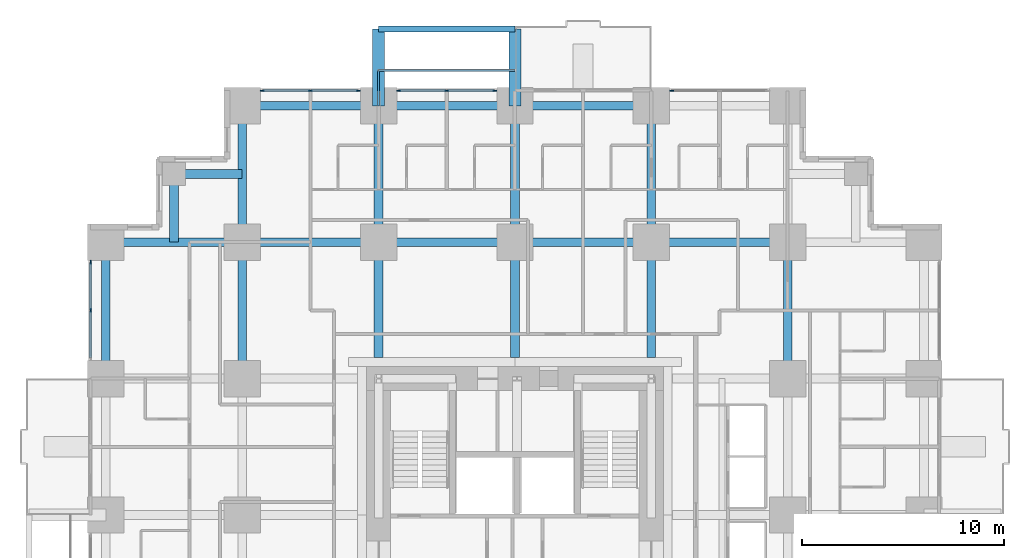
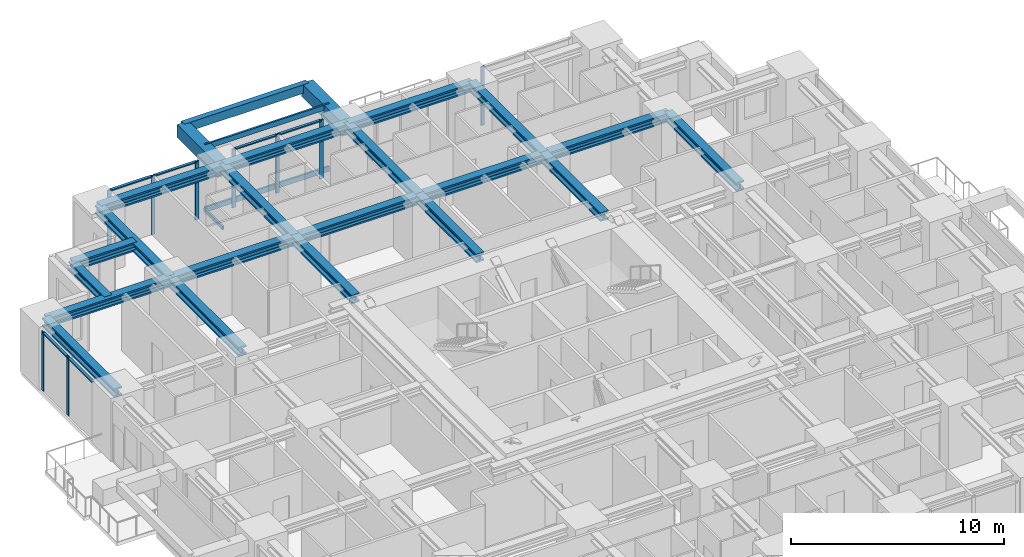
# One storey, part 5 of 14: 23 beams, 18 members, 4 elements without a shape of their own.
"""IFC4 building model written with IfcOpenShell, lengths in metres."""

from ifc_helpers import new_model, si_unit, direction, frame, origin, origin_2d, place, context, subcontext, project, spatial, rectangle, hollow_rectangle, i_section, extrude, material, material_profile, profile_set, type_object, element, aggregate, save


model = new_model("IFC4")

# Units and contexts
model_context = context("Model", 3, precision=1e-05, world=origin(), true_north=direction((0.0, 1.0)))
body_context = subcontext(model_context, "Body", "Model", "MODEL_VIEW")
ifc_project = project(units=[si_unit("LENGTHUNIT", "METRE"), si_unit("AREAUNIT", "SQUARE_METRE"), si_unit("VOLUMEUNIT", "CUBIC_METRE"), si_unit("PLANEANGLEUNIT", "RADIAN"), si_unit("MASSUNIT", "GRAM", prefix="KILO")], contexts=[model_context])

# Site, building, storey
site_placement = place(None, origin())
site = spatial("IfcSite", under=ifc_project, at=site_placement, CompositionType="ELEMENT")
building_placement = place(site_placement, origin())
building = spatial("IfcBuilding", under=site, at=building_placement, Name="Nyansa Garden Tower", CompositionType="ELEMENT")
storey_placement = place(building_placement, frame((0.0, 0.0, 57.60009765625)))
storey = spatial("IfcBuildingStorey", under=building, at=storey_placement, Name="L15", CompositionType="ELEMENT", Elevation=57.60009765625)

# Beams
ifc_material_1 = material(Name="Concrete C70/85", Category="concrete")
ifc_material_profile_1 = material_profile(ifc_material_1, rectangle(XDim=0.60009765625, YDim=0.75, at=origin_2d()), Name="RC 600x750")
ifc_profile_set_1 = profile_set([ifc_material_profile_1], Name="Concrete C70/85")
beam_type_1 = type_object("IfcBeamType", Name="Balcony cantilever beam CB1 RC 600x750", PredefinedType="BEAM", material=ifc_profile_set_1)
for number, where, z_axis, x_axis, name in (
    (1, (13.5, 40.5, 2.98486328125), (0.0, 1.0, 0.0), (-1.0, 0.0, 0.0), "Balcony cantilever beam L16"),
    (2, (20.25, 40.5, 2.98486328125), (0.0, 1.0, 0.0), (-1.0, 0.0, 0.0), "Balcony cantilever beam L16"),
):
    element("IfcBeam", number, at=place(storey_placement, frame(where, z_axis=z_axis, x_axis=x_axis)), inside=storey, type_object=beam_type_1, Name=name, PredefinedType="BEAM", context=body_context, shape_type="SweptSolid", body=[
        extrude(rectangle(XDim=0.60009765625, YDim=0.75, at=origin_2d()), origin(), (0.0, 0.0, 1.0), 3.800048828125),
    ])
ifc_material_2 = material(Name="Concrete C70/85", Category="concrete")
ifc_material_profile_2 = material_profile(ifc_material_2, rectangle(XDim=0.300048828125, YDim=0.5, at=origin_2d()), Name="RC 300x500")
ifc_profile_set_2 = profile_set([ifc_material_profile_2], Name="Concrete C70/85")
beam_type_2 = type_object("IfcBeamType", Name="Balcony edge beam BE1 RC 300x500", PredefinedType="BEAM", material=ifc_profile_set_2)
beam_1_placement = place(storey_placement, frame((13.5, 44.300048828125, 3.10986328125), z_axis=(1.0, 0.0, 0.0), x_axis=(0.0, 1.0, 0.0)))
element("IfcBeam", 3, at=beam_1_placement, inside=storey, type_object=beam_type_2, Name="Balcony edge beam L16", PredefinedType="BEAM", context=body_context, shape_type="SweptSolid", body=[
    extrude(rectangle(XDim=0.300048828125, YDim=0.5, at=origin_2d()), origin(), (0.0, 0.0, 1.0), 6.75),
])

# Curtain wall, members
ifc_material_3 = material(Name="Black anodised aluminium, dark tinted double glazing", Category="aluminium")
curtain_wall_type = type_object("IfcCurtainWallType", Name="Inner skin curtain wall ISW-A", PredefinedType="USERDEFINED", material=ifc_material_3)
curtain_wall_1_placement = place(storey_placement, origin())
curtain_wall_1 = element("IfcCurtainWall", 4, at=curtain_wall_1_placement, inside=storey, type_object=curtain_wall_type, Name="Inner skin curtain wall L15 N", ObjectType="UNITISED CURTAIN WALL", PredefinedType="USERDEFINED")
ifc_material_4 = material(Name="Black anodised aluminium", Category="aluminium")
ifc_material_profile_3 = material_profile(ifc_material_4, rectangle(XDim=0.06494140625, YDim=0.199951171875, at=origin_2d()), Name="Mullion 200x65")
ifc_profile_set_3 = profile_set([ifc_material_profile_3], Name="Black anodised aluminium")
member_type_1 = type_object("IfcMemberType", Name="Mullion ISW-A 200x65", PredefinedType="MULLION", material=ifc_profile_set_3)
member_1_placement = place(storey_placement, frame((19.25, 41.25, 0.0), z_axis=(0.0, 0.0, 1.0), x_axis=(0.0, -1.0, 0.0)))
member_1 = element("IfcMember", 5, at=member_1_placement, type_object=member_type_1, Name="ISW-A mullion 1", PredefinedType="MULLION", context=body_context, shape_type="SweptSolid", body=[
    extrude(rectangle(XDim=0.06494140625, YDim=0.199951171875, at=origin_2d()), origin(), (0.0, 0.0, 1.0), 3.375),
])
member_2_placement = place(storey_placement, frame((16.875, 41.25, 0.0), z_axis=(0.0, 0.0, 1.0), x_axis=(0.0, -1.0, 0.0)))
member_2 = element("IfcMember", 6, at=member_2_placement, type_object=member_type_1, Name="ISW-A mullion 2", PredefinedType="MULLION", context=body_context, shape_type="SweptSolid", body=[
    extrude(rectangle(XDim=0.06494140625, YDim=0.199951171875, at=origin_2d()), origin(), (0.0, 0.0, 1.0), 3.375),
])
member_3_placement = place(storey_placement, frame((14.5, 41.25, 0.0), z_axis=(0.0, 0.0, 1.0), x_axis=(0.0, -1.0, 0.0)))
member_3 = element("IfcMember", 7, at=member_3_placement, type_object=member_type_1, Name="ISW-A mullion 3", PredefinedType="MULLION", context=body_context, shape_type="SweptSolid", body=[
    extrude(rectangle(XDim=0.06494140625, YDim=0.199951171875, at=origin_2d()), origin(), (0.0, 0.0, 1.0), 3.375),
])

curtain_wall_2_placement = place(storey_placement, origin())
curtain_wall_2 = element("IfcCurtainWall", 8, at=curtain_wall_2_placement, inside=storey, type_object=curtain_wall_type, Name="Inner skin curtain wall L15 N", ObjectType="UNITISED CURTAIN WALL", PredefinedType="USERDEFINED")
member_4_placement = place(storey_placement, frame((12.5, 41.25, 0.0), z_axis=(0.0, 0.0, 1.0), x_axis=(0.0, -1.0, 0.0)))
member_4 = element("IfcMember", 9, at=member_4_placement, type_object=member_type_1, Name="ISW-A mullion 1", PredefinedType="MULLION", context=body_context, shape_type="SweptSolid", body=[
    extrude(rectangle(XDim=0.06494140625, YDim=0.199951171875, at=origin_2d()), origin(), (0.0, 0.0, 1.0), 3.375),
])
member_5_placement = place(storey_placement, frame((10.125, 41.25, 0.0), z_axis=(0.0, 0.0, 1.0), x_axis=(0.0, -1.0, 0.0)))
member_5 = element("IfcMember", 10, at=member_5_placement, type_object=member_type_1, Name="ISW-A mullion 2", PredefinedType="MULLION", context=body_context, shape_type="SweptSolid", body=[
    extrude(rectangle(XDim=0.06494140625, YDim=0.199951171875, at=origin_2d()), origin(), (0.0, 0.0, 1.0), 3.375),
])
member_6_placement = place(storey_placement, frame((7.75, 41.25, 0.0), z_axis=(0.0, 0.0, 1.0), x_axis=(0.0, -1.0, 0.0)))
member_6 = element("IfcMember", 11, at=member_6_placement, type_object=member_type_1, Name="ISW-A mullion 3", PredefinedType="MULLION", context=body_context, shape_type="SweptSolid", body=[
    extrude(rectangle(XDim=0.06494140625, YDim=0.199951171875, at=origin_2d()), origin(), (0.0, 0.0, 1.0), 3.375),
])

# Curtain wall, member
curtain_wall_3_placement = place(storey_placement, origin())
curtain_wall_3 = element("IfcCurtainWall", 12, at=curtain_wall_3_placement, inside=storey, type_object=curtain_wall_type, Name="Inner skin curtain wall L15 N", ObjectType="UNITISED CURTAIN WALL", PredefinedType="USERDEFINED")
member_7_placement = place(storey_placement, frame((28.0, 41.25, 0.0), z_axis=(0.0, 0.0, 1.0), x_axis=(0.0, -1.0, 0.0)))
member_7 = element("IfcMember", 13, at=member_7_placement, type_object=member_type_1, Name="ISW-A mullion 3", PredefinedType="MULLION", context=body_context, shape_type="SweptSolid", body=[
    extrude(rectangle(XDim=0.06494140625, YDim=0.199951171875, at=origin_2d()), origin(), (0.0, 0.0, 1.0), 3.375),
])
aggregate(curtain_wall_3, [member_7])

# Curtain wall, members
curtain_wall_4_placement = place(storey_placement, origin())
curtain_wall_4 = element("IfcCurtainWall", 14, at=curtain_wall_4_placement, inside=storey, type_object=curtain_wall_type, Name="Inner skin curtain wall L15 W", ObjectType="UNITISED CURTAIN WALL", PredefinedType="USERDEFINED")
member_8_placement = place(storey_placement, frame((-0.75, 32.75, 0.0), z_axis=(0.0, 0.0, 1.0), x_axis=(1.0, 0.0, 0.0)))
member_8 = element("IfcMember", 15, at=member_8_placement, type_object=member_type_1, Name="ISW-A mullion 1", PredefinedType="MULLION", context=body_context, shape_type="SweptSolid", body=[
    extrude(rectangle(XDim=0.06494140625, YDim=0.199951171875, at=origin_2d()), origin(), (0.0, 0.0, 1.0), 3.375),
])
member_9_placement = place(storey_placement, frame((-0.75, 30.375, 0.0), z_axis=(0.0, 0.0, 1.0), x_axis=(1.0, 0.0, 0.0)))
member_9 = element("IfcMember", 16, at=member_9_placement, type_object=member_type_1, Name="ISW-A mullion 2", PredefinedType="MULLION", context=body_context, shape_type="SweptSolid", body=[
    extrude(rectangle(XDim=0.06494140625, YDim=0.199951171875, at=origin_2d()), origin(), (0.0, 0.0, 1.0), 3.375),
])

# Members
ifc_material_5 = material(Name="Steel S355, black powder coated", Category="steel")
ifc_material_profile_4 = material_profile(ifc_material_5, hollow_rectangle(XDim=0.10009765625, YDim=0.199951171875, WallThickness=0.008056640625, at=origin_2d()), Name="RHS 200x100x8")
ifc_profile_set_4 = profile_set([ifc_material_profile_4], Name="Steel S355, black powder coated")
member_type_2 = type_object("IfcMemberType", Name="Outer skin bracket arm RHS 200x100x8", PredefinedType="USERDEFINED", material=ifc_profile_set_4)
member_10_placement = place(storey_placement, frame((13.5, 40.5, -0.375), z_axis=(0.0, 1.0, 0.0), x_axis=(-1.0, 0.0, 0.0)))
element("IfcMember", 17, at=member_10_placement, inside=storey, type_object=member_type_2, Name="Outer skin bracket arm", ObjectType="OUTER SKIN BRACKET", PredefinedType="USERDEFINED", context=body_context, shape_type="SweptSolid", body=[
    extrude(hollow_rectangle(XDim=0.10009765625, YDim=0.199951171875, WallThickness=0.008056640625, at=origin_2d()), origin(), (0.0, 0.0, 1.0), 1.75),
])
ifc_material_6 = material(Name="Steel S355, black powder coated", Category="steel")
ifc_material_profile_5 = material_profile(ifc_material_6, hollow_rectangle(XDim=0.10009765625, YDim=0.300048828125, WallThickness=0.010009765625, at=origin_2d()), Name="RHS 300x100x10")
ifc_profile_set_5 = profile_set([ifc_material_profile_5], Name="Steel S355, black powder coated")
member_type_3 = type_object("IfcMemberType", Name="Outer skin rail RHS 300x100x10", PredefinedType="USERDEFINED", material=ifc_profile_set_5)
for number, where, z_axis, x_axis, name in (
    (18, (13.5, 42.25, -0.375), (1.0, 0.0, 0.0), (0.0, 1.0, 0.0), "Outer skin rail L15"),
    (19, (13.5, 42.25, 3.224853515625), (1.0, 0.0, 0.0), (0.0, 1.0, 0.0), "Outer skin rail L15 head"),
):
    element("IfcMember", number, at=place(storey_placement, frame(where, z_axis=z_axis, x_axis=x_axis)), inside=storey, type_object=member_type_3, Name=name, ObjectType="OUTER SKIN RAIL", PredefinedType="USERDEFINED", context=body_context, shape_type="SweptSolid", body=[
        extrude(hollow_rectangle(XDim=0.10009765625, YDim=0.300048828125, WallThickness=0.010009765625, at=origin_2d()), origin(), (0.0, 0.0, 1.0), 6.75),
    ])

# Beams
ifc_material_7 = material(Name="Steel S355", Category="steel")
ifc_material_profile_6 = material_profile(ifc_material_7, i_section(OverallWidth=0.431884765625, OverallDepth=0.498046875, WebThickness=0.0556640625, FlangeThickness=0.0888671875, FilletRadius=0.014892578125, at=origin_2d()), Name="HD 400x744")
ifc_profile_set_6 = profile_set([ifc_material_profile_6], Name="Steel S355")
beam_type_3 = type_object("IfcBeamType", Name="Steel beam SBA1-744 HD 400x744", PredefinedType="BEAM", material=ifc_profile_set_6)
for number, where, z_axis, x_axis, name in (
    (20, (0.0, 33.75, 3.1259765625), (1.0, 0.0, 0.0), (0.0, 1.0, 0.0), "Steel beam 2/J-3/J L16"),
    (21, (6.75, 27.0, 3.1259765625), (0.0, 1.0, 0.0), (-1.0, 0.0, 0.0), "Steel beam 3/H-3/J L16"),
    (22, (6.75, 33.75, 3.1259765625), (0.0, 1.0, 0.0), (-1.0, 0.0, 0.0), "Steel beam 3/J-3/K L16"),
    (23, (6.75, 33.75, 3.1259765625), (1.0, 0.0, 0.0), (0.0, 1.0, 0.0), "Steel beam 3/J-4/J L16"),
):
    element("IfcBeam", number, at=place(storey_placement, frame(where, z_axis=z_axis, x_axis=x_axis)), inside=storey, type_object=beam_type_3, Name=name, PredefinedType="BEAM", context=body_context, shape_type="SweptSolid", body=[
        extrude(i_section(OverallWidth=0.431884765625, OverallDepth=0.498046875, WebThickness=0.0556640625, FlangeThickness=0.0888671875, FilletRadius=0.014892578125, at=origin_2d()), origin(), (0.0, 0.0, 1.0), 6.75),
    ])
beam_2_placement = place(storey_placement, frame((13.5, 28.050048828125, 3.1259765625), z_axis=(0.0, 1.0, 0.0), x_axis=(-1.0, 0.0, 0.0)))
element("IfcBeam", 24, at=beam_2_placement, inside=storey, type_object=beam_type_3, Name="Steel beam 4/28.050-4/J L16", PredefinedType="BEAM", context=body_context, shape_type="SweptSolid", body=[
    extrude(i_section(OverallWidth=0.431884765625, OverallDepth=0.498046875, WebThickness=0.0556640625, FlangeThickness=0.0888671875, FilletRadius=0.014892578125, at=origin_2d()), origin(), (0.0, 0.0, 1.0), 5.699951171875),
])
for number, where, z_axis, x_axis, name in (
    (25, (13.5, 33.75, 3.1259765625), (0.0, 1.0, 0.0), (-1.0, 0.0, 0.0), "Steel beam 4/J-4/K L16"),
    (26, (13.5, 33.75, 3.1259765625), (1.0, 0.0, 0.0), (0.0, 1.0, 0.0), "Steel beam 4/J-5/J L16"),
):
    element("IfcBeam", number, at=place(storey_placement, frame(where, z_axis=z_axis, x_axis=x_axis)), inside=storey, type_object=beam_type_3, Name=name, PredefinedType="BEAM", context=body_context, shape_type="SweptSolid", body=[
        extrude(i_section(OverallWidth=0.431884765625, OverallDepth=0.498046875, WebThickness=0.0556640625, FlangeThickness=0.0888671875, FilletRadius=0.014892578125, at=origin_2d()), origin(), (0.0, 0.0, 1.0), 6.75),
    ])
beam_3_placement = place(storey_placement, frame((20.25, 28.050048828125, 3.1259765625), z_axis=(0.0, 1.0, 0.0), x_axis=(-1.0, 0.0, 0.0)))
element("IfcBeam", 27, at=beam_3_placement, inside=storey, type_object=beam_type_3, Name="Steel beam 5/28.050-5/J L16", PredefinedType="BEAM", context=body_context, shape_type="SweptSolid", body=[
    extrude(i_section(OverallWidth=0.431884765625, OverallDepth=0.498046875, WebThickness=0.0556640625, FlangeThickness=0.0888671875, FilletRadius=0.014892578125, at=origin_2d()), origin(), (0.0, 0.0, 1.0), 5.699951171875),
])
for number, where, z_axis, x_axis, name in (
    (28, (20.25, 33.75, 3.1259765625), (0.0, 1.0, 0.0), (-1.0, 0.0, 0.0), "Steel beam 5/J-5/K L16"),
    (29, (20.25, 33.75, 3.1259765625), (1.0, 0.0, 0.0), (0.0, 1.0, 0.0), "Steel beam 5/J-6/J L16"),
):
    element("IfcBeam", number, at=place(storey_placement, frame(where, z_axis=z_axis, x_axis=x_axis)), inside=storey, type_object=beam_type_3, Name=name, PredefinedType="BEAM", context=body_context, shape_type="SweptSolid", body=[
        extrude(i_section(OverallWidth=0.431884765625, OverallDepth=0.498046875, WebThickness=0.0556640625, FlangeThickness=0.0888671875, FilletRadius=0.014892578125, at=origin_2d()), origin(), (0.0, 0.0, 1.0), 6.75),
    ])
beam_4_placement = place(storey_placement, frame((27.0, 28.050048828125, 3.1259765625), z_axis=(0.0, 1.0, 0.0), x_axis=(-1.0, 0.0, 0.0)))
element("IfcBeam", 30, at=beam_4_placement, inside=storey, type_object=beam_type_3, Name="Steel beam 6/28.050-6/J L16", PredefinedType="BEAM", context=body_context, shape_type="SweptSolid", body=[
    extrude(i_section(OverallWidth=0.431884765625, OverallDepth=0.498046875, WebThickness=0.0556640625, FlangeThickness=0.0888671875, FilletRadius=0.014892578125, at=origin_2d()), origin(), (0.0, 0.0, 1.0), 5.699951171875),
])
for number, where, z_axis, x_axis, name in (
    (31, (27.0, 33.75, 3.1259765625), (0.0, 1.0, 0.0), (-1.0, 0.0, 0.0), "Steel beam 6/J-6/K L16"),
    (32, (27.0, 33.75, 3.1259765625), (1.0, 0.0, 0.0), (0.0, 1.0, 0.0), "Steel beam 6/J-7/J L16"),
    (33, (33.75, 27.0, 3.1259765625), (0.0, 1.0, 0.0), (-1.0, 0.0, 0.0), "Steel beam 7/H-7/J L16"),
):
    element("IfcBeam", number, at=place(storey_placement, frame(where, z_axis=z_axis, x_axis=x_axis)), inside=storey, type_object=beam_type_3, Name=name, PredefinedType="BEAM", context=body_context, shape_type="SweptSolid", body=[
        extrude(i_section(OverallWidth=0.431884765625, OverallDepth=0.498046875, WebThickness=0.0556640625, FlangeThickness=0.0888671875, FilletRadius=0.014892578125, at=origin_2d()), origin(), (0.0, 0.0, 1.0), 6.75),
    ])
ifc_material_8 = material(Name="Steel S355", Category="steel")
ifc_material_profile_7 = material_profile(ifc_material_8, i_section(OverallWidth=0.431884765625, OverallDepth=0.498046875, WebThickness=0.0556640625, FlangeThickness=0.0888671875, FilletRadius=0.014892578125, at=origin_2d()), Name="HD 400x744")
ifc_profile_set_7 = profile_set([ifc_material_profile_7], Name="Steel S355")
beam_type_4 = type_object("IfcBeamType", Name="Steel beam SEBA-744 HD 400x744", PredefinedType="BEAM", material=ifc_profile_set_7)
for number, where, z_axis, x_axis, name in (
    (34, (0.0, 27.0, 3.1259765625), (0.0, 1.0, 0.0), (-1.0, 0.0, 0.0), "Steel edge beam 2/H-2/J L16"),
    (35, (6.75, 40.5, 3.1259765625), (1.0, 0.0, 0.0), (0.0, 1.0, 0.0), "Steel edge beam 3/K-4/K L16"),
    (36, (13.5, 40.5, 3.1259765625), (1.0, 0.0, 0.0), (0.0, 1.0, 0.0), "Steel edge beam 4/K-5/K L16"),
    (37, (20.25, 40.5, 3.1259765625), (1.0, 0.0, 0.0), (0.0, 1.0, 0.0), "Steel edge beam 5/K-6/K L16"),
):
    element("IfcBeam", number, at=place(storey_placement, frame(where, z_axis=z_axis, x_axis=x_axis)), inside=storey, type_object=beam_type_4, Name=name, PredefinedType="BEAM", context=body_context, shape_type="SweptSolid", body=[
        extrude(i_section(OverallWidth=0.431884765625, OverallDepth=0.498046875, WebThickness=0.0556640625, FlangeThickness=0.0888671875, FilletRadius=0.014892578125, at=origin_2d()), origin(), (0.0, 0.0, 1.0), 6.75),
    ])
ifc_material_9 = material(Name="Steel S355", Category="steel")
ifc_material_profile_8 = material_profile(ifc_material_9, i_section(OverallWidth=0.431884765625, OverallDepth=0.498046875, WebThickness=0.0556640625, FlangeThickness=0.0888671875, FilletRadius=0.014892578125, at=origin_2d()), Name="HD 400x744")
ifc_profile_set_8 = profile_set([ifc_material_profile_8], Name="Steel S355")
beam_type_5 = type_object("IfcBeamType", Name="Steel beam SSB1-744 HD 400x744", PredefinedType="BEAM", material=ifc_profile_set_8)
for number, where, z_axis, x_axis, name in (
    (38, (3.375, 37.125, 3.1259765625), (0.0, -1.0, 0.0), (1.0, 0.0, 0.0), "Steel step beam 3.375/37.125 L16"),
    (39, (3.375, 37.125, 3.1259765625), (1.0, 0.0, 0.0), (0.0, 1.0, 0.0), "Steel step beam 3.375/37.125 L16"),
):
    element("IfcBeam", number, at=place(storey_placement, frame(where, z_axis=z_axis, x_axis=x_axis)), inside=storey, type_object=beam_type_5, Name=name, PredefinedType="BEAM", context=body_context, shape_type="SweptSolid", body=[
        extrude(i_section(OverallWidth=0.431884765625, OverallDepth=0.498046875, WebThickness=0.0556640625, FlangeThickness=0.0888671875, FilletRadius=0.014892578125, at=origin_2d()), origin(), (0.0, 0.0, 1.0), 3.375),
    ])

# Member
ifc_material_10 = material(Name="Black anodised aluminium", Category="aluminium")
ifc_material_profile_9 = material_profile(ifc_material_10, rectangle(XDim=0.14990234375, YDim=0.06494140625, at=origin_2d()), Name="Transom 150x65")
ifc_profile_set_9 = profile_set([ifc_material_profile_9], Name="Black anodised aluminium")
member_type_4 = type_object("IfcMemberType", Name="Transom ISW-A 150x65", PredefinedType="USERDEFINED", material=ifc_profile_set_9)
member_11_placement = place(storey_placement, frame((19.217529296875, 41.25, 3.34228515625), z_axis=(-1.0, 0.0, 0.0), x_axis=(0.0, -1.0, 0.0)))
member_11 = element("IfcMember", 40, at=member_11_placement, type_object=member_type_4, Name="ISW-A transom 1", ObjectType="TRANSOM", PredefinedType="USERDEFINED", context=body_context, shape_type="SweptSolid", body=[
    extrude(rectangle(XDim=0.14990234375, YDim=0.06494140625, at=origin_2d()), origin(), (0.0, 0.0, 1.0), 2.31005859375),
])

member_12_placement = place(storey_placement, frame((16.842529296875, 41.25, 3.34228515625), z_axis=(-1.0, 0.0, 0.0), x_axis=(0.0, -1.0, 0.0)))
member_12 = element("IfcMember", 41, at=member_12_placement, type_object=member_type_4, Name="ISW-A transom 2", ObjectType="TRANSOM", PredefinedType="USERDEFINED", context=body_context, shape_type="SweptSolid", body=[
    extrude(rectangle(XDim=0.14990234375, YDim=0.06494140625, at=origin_2d()), origin(), (0.0, 0.0, 1.0), 2.31005859375),
])

aggregate(curtain_wall_1, [member_1, member_2, member_3, member_11, member_12])

member_13_placement = place(storey_placement, frame((12.467529296875, 41.25, 3.34228515625), z_axis=(-1.0, 0.0, 0.0), x_axis=(0.0, -1.0, 0.0)))
member_13 = element("IfcMember", 42, at=member_13_placement, type_object=member_type_4, Name="ISW-A transom 1", ObjectType="TRANSOM", PredefinedType="USERDEFINED", context=body_context, shape_type="SweptSolid", body=[
    extrude(rectangle(XDim=0.14990234375, YDim=0.06494140625, at=origin_2d()), origin(), (0.0, 0.0, 1.0), 2.31005859375),
])

member_14_placement = place(storey_placement, frame((10.092529296875, 41.25, 3.34228515625), z_axis=(-1.0, 0.0, 0.0), x_axis=(0.0, -1.0, 0.0)))
member_14 = element("IfcMember", 43, at=member_14_placement, type_object=member_type_4, Name="ISW-A transom 2", ObjectType="TRANSOM", PredefinedType="USERDEFINED", context=body_context, shape_type="SweptSolid", body=[
    extrude(rectangle(XDim=0.14990234375, YDim=0.06494140625, at=origin_2d()), origin(), (0.0, 0.0, 1.0), 2.31005859375),
])

aggregate(curtain_wall_2, [member_4, member_5, member_6, member_13, member_14])

member_15_placement = place(storey_placement, frame((-0.75, 32.717529296875, 3.34228515625), z_axis=(0.0, -1.0, 0.0), x_axis=(1.0, 0.0, 0.0)))
member_15 = element("IfcMember", 44, at=member_15_placement, type_object=member_type_4, Name="ISW-A transom 1", ObjectType="TRANSOM", PredefinedType="USERDEFINED", context=body_context, shape_type="SweptSolid", body=[
    extrude(rectangle(XDim=0.14990234375, YDim=0.06494140625, at=origin_2d()), origin(), (0.0, 0.0, 1.0), 2.31005859375),
])

member_16_placement = place(storey_placement, frame((-0.75, 30.342529296875, 3.34228515625), z_axis=(0.0, -1.0, 0.0), x_axis=(1.0, 0.0, 0.0)))
member_16 = element("IfcMember", 45, at=member_16_placement, type_object=member_type_4, Name="ISW-A transom 2", ObjectType="TRANSOM", PredefinedType="USERDEFINED", context=body_context, shape_type="SweptSolid", body=[
    extrude(rectangle(XDim=0.14990234375, YDim=0.06494140625, at=origin_2d()), origin(), (0.0, 0.0, 1.0), 2.31005859375),
])

aggregate(curtain_wall_4, [member_8, member_9, member_15, member_16])

save(model, "model.ifc")
